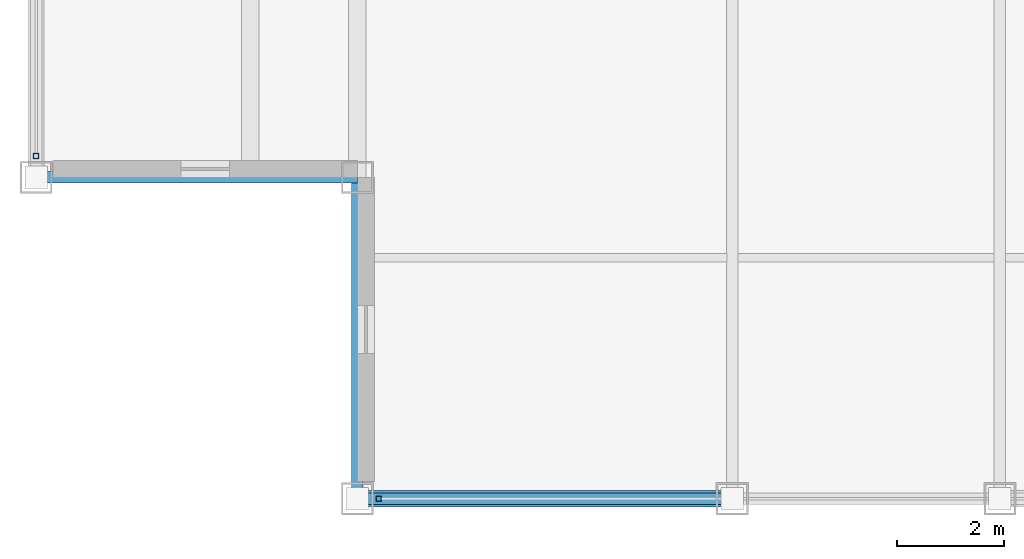
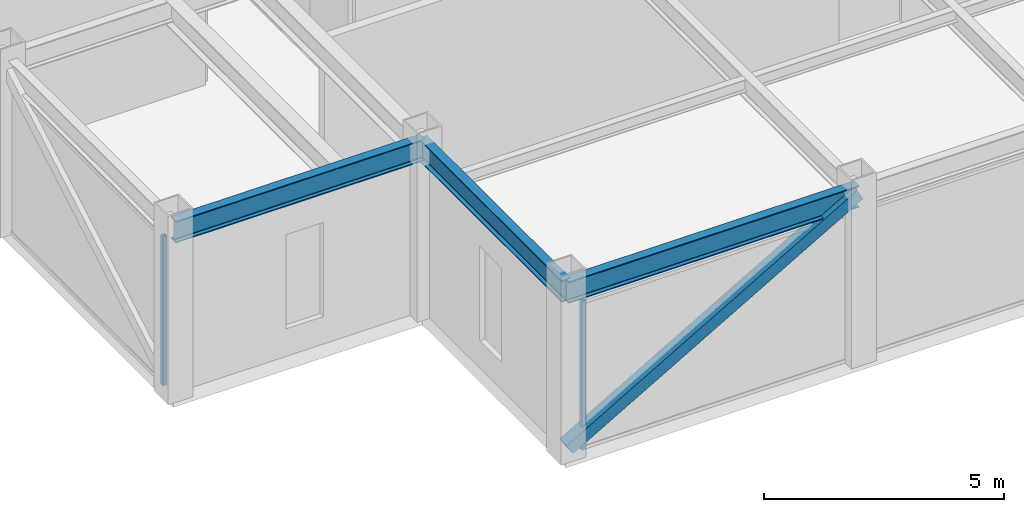
# One storey, part 2 of 27: 3 beams, 3 members, 2 elements without a shape of their own.
"""IFC4 building model written with IfcOpenShell, lengths in metres."""

from ifc_helpers import new_model, si_unit, direction, frame, origin, origin_2d, place, context, subcontext, project, spatial, hollow_rectangle, i_section, extrude, source, transform, mapped, material, material_profile, profile_set, type_object, element, aggregate, save


model = new_model("IFC4")

# Units and contexts
model_context = context("Model", 3, precision=1e-05, world=origin(), true_north=direction((0.0, 1.0)))
body_context = subcontext(model_context, "Body", "Model", "MODEL_VIEW")
ifc_project = project(units=[si_unit("LENGTHUNIT", "METRE"), si_unit("AREAUNIT", "SQUARE_METRE"), si_unit("VOLUMEUNIT", "CUBIC_METRE"), si_unit("PLANEANGLEUNIT", "RADIAN"), si_unit("MASSUNIT", "GRAM", prefix="KILO")], contexts=[model_context])

# Site, building, storey
site_placement = place(None, origin())
site = spatial("IfcSite", under=ifc_project, at=site_placement, CompositionType="ELEMENT")
building_placement = place(site_placement, origin())
building = spatial("IfcBuilding", under=site, at=building_placement, Name="Khorayat Bourse Tower", CompositionType="ELEMENT")
storey_placement = place(building_placement, frame((0.0, 0.0, 394.699951171875)))
storey = spatial("IfcBuildingStorey", under=building, at=storey_placement, Name="L93", CompositionType="ELEMENT", Elevation=394.699951171875)

# Beams
ifc_material_1 = material(Name="Steel ASTM A992 Grade 50", Category="steel")
ifc_material_profile_1 = material_profile(ifc_material_1, i_section(OverallWidth=0.214111328125, OverallDepth=0.549072265625, WebThickness=0.0146484375, FlangeThickness=0.023681640625, FilletRadius=0.013916015625, at=origin_2d()), Name="W530X138")
ifc_profile_set_1 = profile_set([ifc_material_profile_1], Name="Steel ASTM A992 Grade 50")
beam_type = type_object("IfcBeamType", Name="BM-SPAN-530", PredefinedType="SPANDREL", material=ifc_profile_set_1)
shared_shape_1 = source(origin(), body_context, "Body", "SweptSolid", [
    extrude(i_section(OverallWidth=0.214111328125, OverallDepth=0.549072265625, WebThickness=0.0146484375, FlangeThickness=0.023681640625, FilletRadius=0.013916015625, at=origin_2d()), origin(), (0.0, 0.0, 1.0), 6.0),
])
for number, where, z_axis, x_axis, name in (
    (1, (-24.0, -18.0, 4.175537109375), (1.0, 0.0, 0.0), (0.0, 1.0, 0.0), "L93 BM-SPAN-530 BM-L93-SPN-054"),
    (2, (-18.0, -24.0, 4.175537109375), (0.0, 1.0, 0.0), (-1.0, 0.0, 0.0), "L93 BM-SPAN-530 BM-L93-SPN-055"),
):
    element("IfcBeam", number, at=place(storey_placement, frame(where, z_axis=z_axis, x_axis=x_axis)), inside=storey, type_object=beam_type, Name=name, PredefinedType="SPANDREL", context=body_context, shape_type="MappedRepresentation", body=[
        mapped(shared_shape_1, transform((0.0, 0.0, 0.0), scale=1.0)),
    ])
shared_shape_2 = source(origin(), body_context, "Body", "SweptSolid", [
    extrude(i_section(OverallWidth=0.214111328125, OverallDepth=0.549072265625, WebThickness=0.0146484375, FlangeThickness=0.023681640625, FilletRadius=0.013916015625, at=origin_2d()), origin(), (0.0, 0.0, 1.0), 7.0),
])
beam_placement = place(storey_placement, frame((-18.0, -24.0, 4.175537109375), z_axis=(1.0, 0.0, 0.0), x_axis=(0.0, 1.0, 0.0)))
element("IfcBeam", 3, at=beam_placement, inside=storey, type_object=beam_type, Name="L93 BM-SPAN-530 BM-L93-SPN-024", PredefinedType="SPANDREL", context=body_context, shape_type="MappedRepresentation", body=[
    mapped(shared_shape_2, transform((0.0, 0.0, 0.0), scale=1.0)),
])

# Member
ifc_material_2 = material(Name="Steel EN 10025-2 S355J2", Category="steel")
ifc_material_profile_2 = material_profile(ifc_material_2, hollow_rectangle(XDim=0.300048828125, YDim=0.300048828125, WallThickness=0.01611328125, at=origin_2d()), Name="HSS 300x300x16")
ifc_profile_set_2 = profile_set([ifc_material_profile_2], Name="Steel EN 10025-2 S355J2")
member_type_1 = type_object("IfcMemberType", Name="MBR-CROWN-300", PredefinedType="USERDEFINED", material=ifc_profile_set_2)
shared_shape_3 = source(origin(), body_context, "Body", "SweptSolid", [
    extrude(hollow_rectangle(XDim=0.300048828125, YDim=0.300048828125, WallThickness=0.01611328125, at=origin_2d()), origin(), (0.0, 0.0, 1.0), 8.087158203125),
])
member_1_placement = place(storey_placement, frame((-18.0, -24.0, 0.199951171875), z_axis=(0.865564731219, 0.0, 0.500797060763), x_axis=(0.0, 1.0, 0.0)))
element("IfcMember", 4, at=member_1_placement, inside=storey, type_object=member_type_1, Name="L93 Lantern Crown Frame Member 01", ObjectType="CROWN FRAME", PredefinedType="USERDEFINED", context=body_context, shape_type="MappedRepresentation", body=[
    mapped(shared_shape_3, transform((0.0, 0.0, 0.0), scale=1.0)),
])

# Curtain wall, member
ifc_material_3 = material(Name="Aluminium EN AW-6063 T6", Category="aluminium")
curtain_wall_type = type_object("IfcCurtainWallType", Name="CW-SYS-07", PredefinedType="NOTDEFINED", material=ifc_material_3)
curtain_wall_1_placement = place(storey_placement, origin())
curtain_wall_1 = element("IfcCurtainWall", 5, at=curtain_wall_1_placement, inside=storey, type_object=curtain_wall_type, Name="L93 Curtain Wall CW-L93-S1", PredefinedType="NOTDEFINED")
ifc_material_profile_3 = material_profile(ifc_material_3, hollow_rectangle(XDim=0.10009765625, YDim=0.10009765625, WallThickness=0.0048828125, at=origin_2d()), Name="ALU 100x100x5")
ifc_profile_set_3 = profile_set([ifc_material_profile_3], Name="Aluminium EN AW-6063 T6")
member_type_2 = type_object("IfcMemberType", Name="CWM-LANTERN-100", PredefinedType="MULLION", material=ifc_profile_set_3)
shared_shape_4 = source(origin(), body_context, "Body", "SweptSolid", [
    extrude(hollow_rectangle(XDim=0.10009765625, YDim=0.10009765625, WallThickness=0.0048828125, at=origin_2d()), origin(), (0.0, 0.0, 1.0), 3.800048828125),
])
member_2_placement = place(storey_placement, frame((-17.60009765625, -24.0, 0.0), z_axis=(0.0, 0.0, 1.0), x_axis=(0.0, 1.0, 0.0)))
member_2 = element("IfcMember", 6, at=member_2_placement, type_object=member_type_2, Name="CW-L93-S1 Vertical Mullion 1", PredefinedType="MULLION", context=body_context, shape_type="MappedRepresentation", body=[
    mapped(shared_shape_4, transform((0.0, 0.0, 0.0), scale=1.0)),
])
aggregate(curtain_wall_1, [member_2])

curtain_wall_2_placement = place(storey_placement, origin())
curtain_wall_2 = element("IfcCurtainWall", 7, at=curtain_wall_2_placement, inside=storey, type_object=curtain_wall_type, Name="L93 Curtain Wall CW-L93-W1", PredefinedType="NOTDEFINED")
member_3_placement = place(storey_placement, frame((-24.0, -17.60009765625, 0.0), z_axis=(0.0, 0.0, 1.0), x_axis=(-1.0, 0.0, 0.0)))
member_3 = element("IfcMember", 8, at=member_3_placement, type_object=member_type_2, Name="CW-L93-W1 Vertical Mullion 1", PredefinedType="MULLION", context=body_context, shape_type="MappedRepresentation", body=[
    mapped(shared_shape_4, transform((0.0, 0.0, 0.0), scale=1.0)),
])
aggregate(curtain_wall_2, [member_3])

save(model, "model.ifc")
